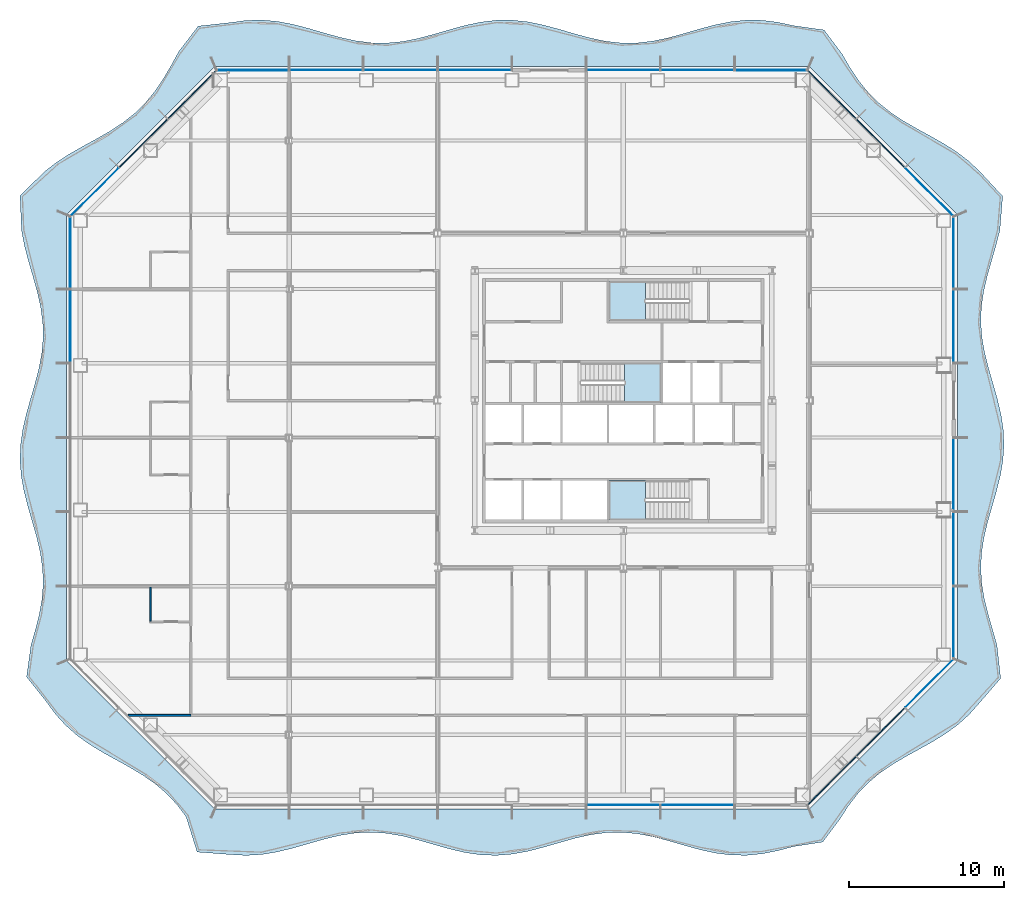
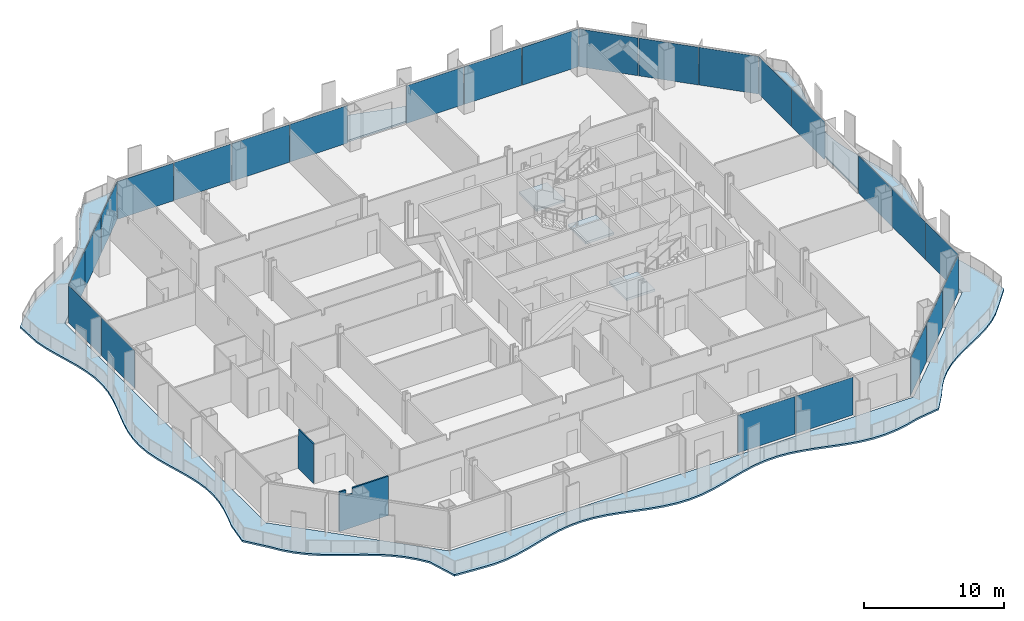
# One storey, part 5 of 18: 25 plates, 4 slabs, 2 walls, 10 elements without a shape of their own.
"""IFC4 building model written with IfcOpenShell, lengths in metres."""

from ifc_helpers import new_model, si_unit, direction, frame, origin, origin_2d, place, context, subcontext, project, spatial, polyline, rectangle, outline, extrude, material, layer, layer_set, type_object, element, aggregate, save


model = new_model("IFC4")

# Units and contexts
model_context = context("Model", 3, precision=1e-05, world=origin(), true_north=direction((0.0, 1.0)))
body_context = subcontext(model_context, "Body", "Model", "MODEL_VIEW")
ifc_project = project(units=[si_unit("LENGTHUNIT", "METRE"), si_unit("AREAUNIT", "SQUARE_METRE"), si_unit("VOLUMEUNIT", "CUBIC_METRE"), si_unit("PLANEANGLEUNIT", "RADIAN"), si_unit("MASSUNIT", "GRAM", prefix="KILO")], contexts=[model_context])

# Site, building, storey
site_placement = place(None, origin())
site = spatial("IfcSite", under=ifc_project, at=site_placement, CompositionType="ELEMENT")
building_placement = place(site_placement, origin())
building = spatial("IfcBuilding", under=site, at=building_placement, Name="Cairn Pilgrim Tower", CompositionType="ELEMENT")
storey_placement = place(building_placement, frame((0.0, 0.0, 76.199951171875)))
storey = spatial("IfcBuildingStorey", under=building, at=storey_placement, Name="L17", CompositionType="ELEMENT", Elevation=76.199951171875)

# Slab
ifc_material_1 = material(Name="Concrete C35/45", Category="concrete")
ifc_layer_1 = layer(ifc_material_1, 0.14990234375)
ifc_layer_set_1 = layer_set([ifc_layer_1], Name="BALCONY SLAB 150 CONCRETE C35/45")
slab_type_1 = type_object("IfcSlabType", Name="BALCONY SLAB 150 CONCRETE C35/45", PredefinedType="FLOOR", material=ifc_layer_set_1)
slab_1_placement = place(storey_placement, frame((0.0, 0.0, -0.14990234375)))
element("IfcSlab", 1, at=slab_1_placement, inside=storey, type_object=slab_type_1, Name="Balcony slab BS-1", PredefinedType="FLOOR", context=body_context, shape_type="SweptSolid", body=[
    extrude(outline(polyline([(-21.06494140625, -24.493408203125), (-20.3515625, -26.7802734375), (-18.189453125, -26.944091796875), (-17.178955078125, -27.0), (-16.16845703125, -26.939208984375), (-15.157958984375, -26.771484375), (-14.1474609375, -26.522705078125), (-13.136962890625, -26.2314453125), (-12.126220703125, -25.943115234375), (-11.11572265625, -25.702392578125), (-10.105224609375, -25.546875), (-9.0947265625, -25.500732421875), (-8.084228515625, -25.57080078125), (-7.07373046875, -25.74658203125), (-6.063232421875, -26.000732421875), (-5.052734375, -26.29345703125), (-4.0419921875, -26.579345703125), (-3.031494140625, -26.814208984375), (-2.02099609375, -26.96142578125), (-1.010498046875, -26.998046875), (0.0, -26.918212890625), (1.010498046875, -26.734619140625), (2.02099609375, -26.475830078125), (3.031494140625, -26.181884765625), (4.0419921875, -25.8984375), (5.052734375, -25.669677734375), (6.063232421875, -25.53125), (7.07373046875, -25.50439453125), (8.084228515625, -25.59326171875), (9.0947265625, -25.784423828125), (10.105224609375, -26.0478515625), (11.11572265625, -26.3427734375), (12.126220703125, -26.623291015625), (13.136962890625, -26.845703125), (14.1474609375, -26.9755859375), (15.157958984375, -26.99267578125), (16.16845703125, -26.894287109375), (17.178955078125, -26.69580078125), (18.189453125, -26.427978515625), (20.08349609375, -26.132568359375), (21.205078125, -24.633544921875), (21.740966796875, -23.798095703125), (22.337158203125, -23.02294921875), (23.006591796875, -22.321044921875), (23.751708984375, -21.694580078125), (24.563720703125, -21.13525390625), (25.4248046875, -20.624755859375), (26.3095703125, -20.13818359375), (27.189697265625, -19.646728515625), (28.037109375, -19.122802734375), (28.8291015625, -18.543212890625), (29.5498046875, -17.892578125), (30.194580078125, -17.166015625), (31.585205078125, -15.5537109375), (31.34521484375, -13.406982421875), (31.06103515625, -12.413818359375), (30.775146484375, -11.420654296875), (30.530517578125, -10.427490234375), (30.36376953125, -9.4345703125), (30.30029296875, -8.44140625), (30.349365234375, -7.4482421875), (30.50341796875, -6.455078125), (30.73974609375, -5.462158203125), (31.022705078125, -4.468994140625), (31.309814453125, -3.475830078125), (31.5576171875, -2.482666015625), (31.7294921875, -1.48974609375), (31.799072265625, -0.49658203125), (31.75634765625, 0.49658203125), (31.607421875, 1.48974609375), (31.374755859375, 2.482666015625), (31.093505859375, 3.475830078125), (30.8056640625, 4.468994140625), (30.554443359375, 5.462158203125), (30.377685546875, 6.455078125), (30.3017578125, 7.4482421875), (30.33837890625, 8.44140625), (30.481689453125, 9.4345703125), (30.71044921875, 10.427490234375), (30.990234375, 11.420654296875), (31.279052734375, 12.413818359375), (31.533447265625, 13.406982421875), (31.715087890625, 15.607421875), (30.23291015625, 17.204345703125), (29.529052734375, 17.871826171875), (28.752197265625, 18.466552734375), (27.915283203125, 19.0009765625), (27.040283203125, 19.497314453125), (26.15380859375, 19.982421875), (25.28515625, 20.4853515625), (24.46044921875, 21.03173828125), (23.69921875, 21.64208984375), (23.0126953125, 22.326904296875), (22.40087890625, 23.08642578125), (21.85302734375, 23.91015625), (21.349609375, 24.778076171875), (20.1748046875, 26.353515625), (18.189453125, 26.632568359375), (17.178955078125, 26.852294921875), (16.16845703125, 26.978271484375), (15.157958984375, 26.990966796875), (14.1474609375, 26.888671875), (13.136962890625, 26.68701171875), (12.126220703125, 26.41748046875), (11.11572265625, 26.121826171875), (10.105224609375, 25.84619140625), (9.0947265625, 25.63330078125), (8.084228515625, 25.516357421875), (7.07373046875, 25.51318359375), (6.063232421875, 25.624755859375), (5.052734375, 25.83349609375), (4.0419921875, 26.106689453125), (3.031494140625, 26.402587890625), (2.02099609375, 26.674560546875), (1.010498046875, 26.88037109375), (0.0, 26.988525390625), (-1.010498046875, 26.981689453125), (-2.02099609375, 26.861328125), (-3.031494140625, 26.645751953125), (-4.0419921875, 26.368896484375), (-5.052734375, 26.0732421875), (-6.063232421875, 25.805419921875), (-7.07373046875, 25.6064453125), (-8.084228515625, 25.507568359375), (-9.0947265625, 25.524169921875), (-10.105224609375, 25.653564453125), (-11.11572265625, 25.87548828125), (-12.126220703125, 26.15576171875), (-13.136962890625, 26.45068359375), (-14.1474609375, 26.71435546875), (-15.157958984375, 26.906005859375), (-16.16845703125, 26.99560546875), (-17.178955078125, 26.96923828125), (-18.189453125, 26.831298828125), (-20.278076171875, 26.602783203125), (-21.534423828125, 24.962890625), (-22.02001953125, 24.0771484375), (-22.526123046875, 23.211669921875), (-23.078125, 22.392578125), (-23.69580078125, 21.638671875), (-24.38818359375, 20.959716796875), (-25.15478515625, 20.354736328125), (-25.98388671875, 19.8125), (-26.85498046875, 19.312255859375), (-27.741455078125, 18.8271484375), (-28.614501953125, 18.328857421875), (-29.447265625, 17.790283203125), (-30.218994140625, 17.1904296875), (-31.793701171875, 15.64013671875), (-31.701171875, 13.406982421875), (-31.5107421875, 12.413818359375), (-31.251220703125, 11.420654296875), (-30.96142578125, 10.427490234375), (-30.684814453125, 9.4345703125), (-30.463134765625, 8.44140625), (-30.32958984375, 7.4482421875), (-30.304443359375, 6.455078125), (-30.390869140625, 5.462158203125), (-30.57666015625, 4.468994140625), (-30.833251953125, 3.475830078125), (-31.12255859375, 2.482666015625), (-31.40087890625, 1.48974609375), (-31.62646484375, 0.49658203125), (-31.765625, -0.49658203125), (-31.797119140625, -1.48974609375), (-31.716552734375, -2.482666015625), (-31.535888671875, -3.475830078125), (-31.2822265625, -4.468994140625), (-30.99365234375, -5.462158203125), (-30.713623046875, -6.455078125), (-30.48388671875, -7.4482421875), (-30.33935546875, -8.44140625), (-30.301513671875, -9.4345703125), (-30.3759765625, -10.427490234375), (-30.5517578125, -11.420654296875), (-30.802490234375, -12.413818359375), (-31.090087890625, -13.406982421875), (-31.371826171875, -15.46533203125), (-30.094482421875, -17.06591796875), (-29.514892578125, -17.857666015625), (-28.864013671875, -18.578369140625), (-28.137451171875, -19.22314453125), (-27.340576171875, -19.7978515625), (-26.48974609375, -20.318115234375), (-25.608154296875, -20.80810546875), (-24.72412109375, -21.295654296875), (-23.8662109375, -21.80908203125), (-23.058837890625, -22.373046875), (-22.319580078125, -23.005126953125), (-21.656005859375, -23.713134765625), (-21.06494140625, -24.493408203125)]), holes=[polyline([(19.199951171875, -24.0), (-19.199951171875, -24.0), (-28.800048828125, -14.39990234375), (-28.800048828125, 14.39990234375), (-19.199951171875, 24.0), (19.199951171875, 24.0), (28.800048828125, 14.39990234375), (28.800048828125, -14.39990234375), (19.199951171875, -24.0)])]), origin(), (0.0, 0.0, 1.0), 0.14990234375),
])

# Curtain wall, plate
ifc_material_2 = material(Name="Aluminium alloy 6063-T6 bronze anodised with Bronze tinted laminated low-E glass 8+16+8.8", Category="aluminium")
curtain_wall_type_1 = type_object("IfcCurtainWallType", Name="CHAMFER CORNER CURTAIN WALL", PredefinedType="NOTDEFINED", material=ifc_material_2)
curtain_wall_1_placement = place(storey_placement, origin())
curtain_wall_1 = element("IfcCurtainWall", 2, at=curtain_wall_1_placement, inside=storey, type_object=curtain_wall_type_1, Name="Chamfer Corner Curtain Wall SE", PredefinedType="NOTDEFINED")
ifc_material_3 = material(Name="Bronze anodised aluminium spandrel panel with mineral wool insulation", Category="aluminium")
ifc_layer_2 = layer(ifc_material_3, 0.06005859375)
ifc_layer_set_2 = layer_set([ifc_layer_2], Name="SPANDREL PANEL 4386x3300")
plate_type_1 = type_object("IfcPlateType", Name="SPANDREL PANEL 4386x3300", PredefinedType="CURTAIN_PANEL", material=ifc_layer_set_2)
plate_1_placement = place(storey_placement, frame((20.675537109375, -22.1708984375, 0.0), z_axis=(0.0, 0.0, 1.0), x_axis=(0.707106781187, 0.707106781187, 0.0)))
plate_1 = element("IfcPlate", 3, at=plate_1_placement, type_object=plate_type_1, Name="Spandrel Panel SE1-1", PredefinedType="CURTAIN_PANEL", context=body_context, shape_type="SweptSolid", body=[
    extrude(rectangle(XDim=4.386474609375, YDim=0.06005859375, at=origin_2d()), origin(), (0.0, 0.0, 1.0), 3.300048828125),
])

curtain_wall_2_placement = place(storey_placement, origin())
curtain_wall_2 = element("IfcCurtainWall", 4, at=curtain_wall_2_placement, inside=storey, type_object=curtain_wall_type_1, Name="Chamfer Corner Curtain Wall NE", PredefinedType="NOTDEFINED")
plate_2_placement = place(storey_placement, frame((20.675537109375, 22.1708984375, 0.0), z_axis=(0.0, 0.0, 1.0), x_axis=(-0.707106781187, 0.707106781187, 0.0)))
plate_2 = element("IfcPlate", 5, at=plate_2_placement, type_object=plate_type_1, Name="Spandrel Panel NE3-1", PredefinedType="CURTAIN_PANEL", context=body_context, shape_type="SweptSolid", body=[
    extrude(rectangle(XDim=4.386474609375, YDim=0.06005859375, at=origin_2d()), origin(), (0.0, 0.0, 1.0), 3.300048828125),
])

curtain_wall_3_placement = place(storey_placement, origin())
curtain_wall_3 = element("IfcCurtainWall", 6, at=curtain_wall_3_placement, inside=storey, type_object=curtain_wall_type_1, Name="Chamfer Corner Curtain Wall NW", PredefinedType="NOTDEFINED")
plate_3_placement = place(storey_placement, frame((-20.675537109375, 22.1708984375, 0.0), z_axis=(0.0, 0.0, 1.0), x_axis=(-0.707106781187, -0.707106781187, 0.0)))
plate_3 = element("IfcPlate", 7, at=plate_3_placement, type_object=plate_type_1, Name="Spandrel Panel NW1-1", PredefinedType="CURTAIN_PANEL", context=body_context, shape_type="SweptSolid", body=[
    extrude(rectangle(XDim=4.386474609375, YDim=0.06005859375, at=origin_2d()), origin(), (0.0, 0.0, 1.0), 3.300048828125),
])

# Plate
ifc_layer_3 = layer(ifc_material_3, 0.06005859375)
ifc_layer_set_3 = layer_set([ifc_layer_3], Name="SPANDREL PANEL 4396x3300")
plate_type_2 = type_object("IfcPlateType", Name="SPANDREL PANEL 4396x3300", PredefinedType="CURTAIN_PANEL", material=ifc_layer_set_3)
plate_4_placement = place(storey_placement, frame((23.8232421875, -19.023193359375, 0.0), z_axis=(0.0, 0.0, 1.0), x_axis=(0.707106781187, 0.707106781187, 0.0)))
plate_4 = element("IfcPlate", 8, at=plate_4_placement, type_object=plate_type_2, Name="Spandrel Panel SE2-1", PredefinedType="CURTAIN_PANEL", context=body_context, shape_type="SweptSolid", body=[
    extrude(rectangle(XDim=4.396484375, YDim=0.06005859375, at=origin_2d()), origin(), (0.0, 0.0, 1.0), 3.300048828125),
])

plate_5_placement = place(storey_placement, frame((23.8232421875, 19.023193359375, 0.0), z_axis=(0.0, 0.0, 1.0), x_axis=(-0.707106781187, 0.707106781187, 0.0)))
plate_5 = element("IfcPlate", 9, at=plate_5_placement, type_object=plate_type_2, Name="Spandrel Panel NE2-1", PredefinedType="CURTAIN_PANEL", context=body_context, shape_type="SweptSolid", body=[
    extrude(rectangle(XDim=4.396484375, YDim=0.06005859375, at=origin_2d()), origin(), (0.0, 0.0, 1.0), 3.300048828125),
])

plate_6_placement = place(storey_placement, frame((-23.8232421875, 19.023193359375, 0.0), z_axis=(0.0, 0.0, 1.0), x_axis=(-0.707106781187, -0.707106781187, 0.0)))
plate_6 = element("IfcPlate", 10, at=plate_6_placement, type_object=plate_type_2, Name="Spandrel Panel NW2-1", PredefinedType="CURTAIN_PANEL", context=body_context, shape_type="SweptSolid", body=[
    extrude(rectangle(XDim=4.396484375, YDim=0.06005859375, at=origin_2d()), origin(), (0.0, 0.0, 1.0), 3.300048828125),
])

# Curtain wall, plates
curtain_wall_type_2 = type_object("IfcCurtainWallType", Name="TOWER STICK CURTAIN WALL NS", PredefinedType="NOTDEFINED", material=ifc_material_2)
curtain_wall_4_placement = place(storey_placement, origin())
curtain_wall_4 = element("IfcCurtainWall", 11, at=curtain_wall_4_placement, inside=storey, type_object=curtain_wall_type_2, Name="Tower Stick Curtain Wall Ns N", PredefinedType="NOTDEFINED")
ifc_layer_4 = layer(ifc_material_3, 0.06005859375)
ifc_layer_set_4 = layer_set([ifc_layer_4], Name="SPANDREL PANEL 4626x3300")
plate_type_3 = type_object("IfcPlateType", Name="SPANDREL PANEL 4626x3300", PredefinedType="CURTAIN_PANEL", material=ifc_layer_set_4)
plate_7_placement = place(storey_placement, frame((16.7431640625, 23.75, 0.0), z_axis=(0.0, 0.0, 1.0), x_axis=(-1.0, 0.0, 0.0)))
plate_7 = element("IfcPlate", 12, at=plate_7_placement, type_object=plate_type_3, Name="Spandrel Panel N1-1", PredefinedType="CURTAIN_PANEL", context=body_context, shape_type="SweptSolid", body=[
    extrude(rectangle(XDim=4.62646484375, YDim=0.06005859375, at=origin_2d()), origin(), (0.0, 0.0, 1.0), 3.300048828125),
])
plate_8_placement = place(storey_placement, frame((-16.7431640625, 23.75, 0.0), z_axis=(0.0, 0.0, 1.0), x_axis=(-1.0, 0.0, 0.0)))
plate_8 = element("IfcPlate", 13, at=plate_8_placement, type_object=plate_type_3, Name="Spandrel Panel N8-1", PredefinedType="CURTAIN_PANEL", context=body_context, shape_type="SweptSolid", body=[
    extrude(rectangle(XDim=4.62646484375, YDim=0.06005859375, at=origin_2d()), origin(), (0.0, 0.0, 1.0), 3.300048828125),
])

# Stair, slab
ifc_material_4 = material(Name="Concrete C32/40", Category="concrete")
stair_type = type_object("IfcStairType", Name="EXIT STAIR 1200", PredefinedType="HALF_TURN_STAIR", material=ifc_material_4)
stair_1_placement = place(storey_placement, origin())
stair_1 = element("IfcStair", 14, at=stair_1_placement, inside=storey, type_object=stair_type, Name="L17 Exit Stair A", PredefinedType="HALF_TURN_STAIR")
ifc_layer_5 = layer(ifc_material_4, 0.199951171875)
ifc_layer_set_5 = layer_set([ifc_layer_5], Name="STAIR LANDING 200")
slab_type_2 = type_object("IfcSlabType", Name="STAIR LANDING 200", PredefinedType="LANDING", material=ifc_layer_set_5)
slab_2_placement = place(storey_placement, frame((0.0, 0.0, 1.60009765625)))
slab_2 = element("IfcSlab", 15, at=slab_2_placement, type_object=slab_type_2, Name="ST-A landing 1", PredefinedType="LANDING", context=body_context, shape_type="SweptSolid", body=[
    extrude(outline(polyline([(8.625, -2.77490234375), (6.27490234375, -2.77490234375), (6.27490234375, -5.300048828125), (8.625, -5.300048828125), (8.625, -2.77490234375)])), origin(), (0.0, 0.0, 1.0), 0.199951171875),
])
aggregate(stair_1, [slab_2])

stair_2_placement = place(storey_placement, origin())
stair_2 = element("IfcStair", 16, at=stair_2_placement, inside=storey, type_object=stair_type, Name="L17 Exit Stair B", PredefinedType="HALF_TURN_STAIR")
slab_3_placement = place(storey_placement, frame((0.0, 0.0, 1.60009765625)))
slab_3 = element("IfcSlab", 17, at=slab_3_placement, type_object=slab_type_2, Name="ST-B landing 1", PredefinedType="LANDING", context=body_context, shape_type="SweptSolid", body=[
    extrude(outline(polyline([(7.27490234375, 2.27490234375), (9.625, 2.27490234375), (9.625, 4.824951171875), (7.27490234375, 4.824951171875), (7.27490234375, 2.27490234375)])), origin(), (0.0, 0.0, 1.0), 0.199951171875),
])
aggregate(stair_2, [slab_3])

stair_3_placement = place(storey_placement, origin())
stair_3 = element("IfcStair", 18, at=stair_3_placement, inside=storey, type_object=stair_type, Name="L17 Exit Stair C", PredefinedType="HALF_TURN_STAIR")
slab_4_placement = place(storey_placement, frame((0.0, 0.0, 1.60009765625)))
slab_4 = element("IfcSlab", 19, at=slab_4_placement, type_object=slab_type_2, Name="ST-C landing 1", PredefinedType="LANDING", context=body_context, shape_type="SweptSolid", body=[
    extrude(outline(polyline([(8.625, 10.10009765625), (6.27490234375, 10.10009765625), (6.27490234375, 7.574951171875), (8.625, 7.574951171875), (8.625, 10.10009765625)])), origin(), (0.0, 0.0, 1.0), 0.199951171875),
])
aggregate(stair_3, [slab_4])

# Plate
ifc_material_5 = material(Name="Bronze tinted laminated low-E glass 8+16+8.8", Category="glass")
ifc_layer_6 = layer(ifc_material_5, 0.033935546875)
ifc_layer_set_6 = layer_set([ifc_layer_6], Name="VISION GLAZING 4386x3300")
plate_type_4 = type_object("IfcPlateType", Name="VISION GLAZING 4386x3300", PredefinedType="CURTAIN_PANEL", material=ifc_layer_set_6)
plate_9_placement = place(storey_placement, frame((26.970947265625, -15.87548828125, 0.0), z_axis=(0.0, 0.0, 1.0), x_axis=(0.707106781187, 0.707106781187, 0.0)))
plate_9 = element("IfcPlate", 20, at=plate_9_placement, type_object=plate_type_4, Name="Vision Glazing SE3-1", PredefinedType="CURTAIN_PANEL", context=body_context, shape_type="SweptSolid", body=[
    extrude(rectangle(XDim=4.386474609375, YDim=0.033935546875, at=origin_2d()), origin(), (0.0, 0.0, 1.0), 3.300048828125),
])

aggregate(curtain_wall_1, [plate_1, plate_4, plate_9])

plate_10_placement = place(storey_placement, frame((26.970947265625, 15.87548828125, 0.0), z_axis=(0.0, 0.0, 1.0), x_axis=(-0.707106781187, 0.707106781187, 0.0)))
plate_10 = element("IfcPlate", 21, at=plate_10_placement, type_object=plate_type_4, Name="Vision Glazing NE1-1", PredefinedType="CURTAIN_PANEL", context=body_context, shape_type="SweptSolid", body=[
    extrude(rectangle(XDim=4.386474609375, YDim=0.033935546875, at=origin_2d()), origin(), (0.0, 0.0, 1.0), 3.300048828125),
])

aggregate(curtain_wall_2, [plate_10, plate_5, plate_2])

plate_11_placement = place(storey_placement, frame((-26.970947265625, 15.87548828125, 0.0), z_axis=(0.0, 0.0, 1.0), x_axis=(-0.707106781187, -0.707106781187, 0.0)))
plate_11 = element("IfcPlate", 22, at=plate_11_placement, type_object=plate_type_4, Name="Vision Glazing NW3-1", PredefinedType="CURTAIN_PANEL", context=body_context, shape_type="SweptSolid", body=[
    extrude(rectangle(XDim=4.386474609375, YDim=0.033935546875, at=origin_2d()), origin(), (0.0, 0.0, 1.0), 3.300048828125),
])

aggregate(curtain_wall_3, [plate_3, plate_6, plate_11])

# Curtain wall, plates
curtain_wall_type_3 = type_object("IfcCurtainWallType", Name="TOWER STICK CURTAIN WALL EW", PredefinedType="NOTDEFINED", material=ifc_material_2)
curtain_wall_5_placement = place(storey_placement, origin())
curtain_wall_5 = element("IfcCurtainWall", 23, at=curtain_wall_5_placement, inside=storey, type_object=curtain_wall_type_3, Name="Tower Stick Curtain Wall Ew E", PredefinedType="NOTDEFINED")
ifc_layer_7 = layer(ifc_material_5, 0.033935546875)
ifc_layer_set_7 = layer_set([ifc_layer_7], Name="VISION GLAZING 4626x3300")
plate_type_5 = type_object("IfcPlateType", Name="VISION GLAZING 4626x3300", PredefinedType="CURTAIN_PANEL", material=ifc_layer_set_7)
plate_12_placement = place(storey_placement, frame((28.550048828125, -11.943115234375, 0.0), z_axis=(0.0, 0.0, 1.0), x_axis=(0.0, 1.0, 0.0)))
plate_12 = element("IfcPlate", 24, at=plate_12_placement, type_object=plate_type_5, Name="Vision Glazing E1-1", PredefinedType="CURTAIN_PANEL", context=body_context, shape_type="SweptSolid", body=[
    extrude(rectangle(XDim=4.62646484375, YDim=0.033935546875, at=origin_2d()), origin(), (0.0, 0.0, 1.0), 3.300048828125),
])
plate_13_placement = place(storey_placement, frame((28.550048828125, 11.943115234375, 0.0), z_axis=(0.0, 0.0, 1.0), x_axis=(0.0, 1.0, 0.0)))
plate_13 = element("IfcPlate", 25, at=plate_13_placement, type_object=plate_type_5, Name="Vision Glazing E6-1", PredefinedType="CURTAIN_PANEL", context=body_context, shape_type="SweptSolid", body=[
    extrude(rectangle(XDim=4.62646484375, YDim=0.033935546875, at=origin_2d()), origin(), (0.0, 0.0, 1.0), 3.300048828125),
])

# Curtain wall, plate
curtain_wall_6_placement = place(storey_placement, origin())
curtain_wall_6 = element("IfcCurtainWall", 26, at=curtain_wall_6_placement, inside=storey, type_object=curtain_wall_type_3, Name="Tower Stick Curtain Wall Ew W", PredefinedType="NOTDEFINED")
plate_14_placement = place(storey_placement, frame((-28.550048828125, 11.943115234375, 0.0), z_axis=(0.0, 0.0, 1.0), x_axis=(0.0, -1.0, 0.0)))
plate_14 = element("IfcPlate", 27, at=plate_14_placement, type_object=plate_type_5, Name="Vision Glazing W1-1", PredefinedType="CURTAIN_PANEL", context=body_context, shape_type="SweptSolid", body=[
    extrude(rectangle(XDim=4.62646484375, YDim=0.033935546875, at=origin_2d()), origin(), (0.0, 0.0, 1.0), 3.300048828125),
])

# Curtain wall, plates
curtain_wall_7_placement = place(storey_placement, origin())
curtain_wall_7 = element("IfcCurtainWall", 28, at=curtain_wall_7_placement, inside=storey, type_object=curtain_wall_type_2, Name="Tower Stick Curtain Wall Ns S", PredefinedType="NOTDEFINED")
ifc_layer_8 = layer(ifc_material_5, 0.033935546875)
ifc_layer_set_8 = layer_set([ifc_layer_8], Name="VISION GLAZING 4740x3300")
plate_type_6 = type_object("IfcPlateType", Name="VISION GLAZING 4740x3300", PredefinedType="CURTAIN_PANEL", material=ifc_layer_set_8)
plate_15_placement = place(storey_placement, frame((7.199951171875, -23.75, 0.0), z_axis=(0.0, 0.0, 1.0), x_axis=(1.0, 0.0, 0.0)))
plate_15 = element("IfcPlate", 29, at=plate_15_placement, type_object=plate_type_6, Name="Vision Glazing S6-1", PredefinedType="CURTAIN_PANEL", context=body_context, shape_type="SweptSolid", body=[
    extrude(rectangle(XDim=4.739990234375, YDim=0.033935546875, at=origin_2d()), origin(), (0.0, 0.0, 1.0), 3.300048828125),
])
plate_16_placement = place(storey_placement, frame((12.0, -23.75, 0.0), z_axis=(0.0, 0.0, 1.0), x_axis=(1.0, 0.0, 0.0)))
plate_16 = element("IfcPlate", 30, at=plate_16_placement, type_object=plate_type_6, Name="Vision Glazing S7-1", PredefinedType="CURTAIN_PANEL", context=body_context, shape_type="SweptSolid", body=[
    extrude(rectangle(XDim=4.739990234375, YDim=0.033935546875, at=origin_2d()), origin(), (0.0, 0.0, 1.0), 3.300048828125),
])
aggregate(curtain_wall_7, [plate_15, plate_16])

# Plate
plate_17_placement = place(storey_placement, frame((28.550048828125, -7.199951171875, 0.0), z_axis=(0.0, 0.0, 1.0), x_axis=(0.0, 1.0, 0.0)))
plate_17 = element("IfcPlate", 31, at=plate_17_placement, type_object=plate_type_6, Name="Vision Glazing E2-1", PredefinedType="CURTAIN_PANEL", context=body_context, shape_type="SweptSolid", body=[
    extrude(rectangle(XDim=4.739990234375, YDim=0.033935546875, at=origin_2d()), origin(), (0.0, 0.0, 1.0), 3.300048828125),
])

plate_18_placement = place(storey_placement, frame((28.550048828125, -2.39990234375, 0.0), z_axis=(0.0, 0.0, 1.0), x_axis=(0.0, 1.0, 0.0)))
plate_18 = element("IfcPlate", 32, at=plate_18_placement, type_object=plate_type_6, Name="Vision Glazing E3-1", PredefinedType="CURTAIN_PANEL", context=body_context, shape_type="SweptSolid", body=[
    extrude(rectangle(XDim=4.739990234375, YDim=0.033935546875, at=origin_2d()), origin(), (0.0, 0.0, 1.0), 3.300048828125),
])

plate_19_placement = place(storey_placement, frame((28.550048828125, 7.199951171875, 0.0), z_axis=(0.0, 0.0, 1.0), x_axis=(0.0, 1.0, 0.0)))
plate_19 = element("IfcPlate", 33, at=plate_19_placement, type_object=plate_type_6, Name="Vision Glazing E5-1", PredefinedType="CURTAIN_PANEL", context=body_context, shape_type="SweptSolid", body=[
    extrude(rectangle(XDim=4.739990234375, YDim=0.033935546875, at=origin_2d()), origin(), (0.0, 0.0, 1.0), 3.300048828125),
])

aggregate(curtain_wall_5, [plate_12, plate_17, plate_18, plate_19, plate_13])

plate_20_placement = place(storey_placement, frame((12.0, 23.75, 0.0), z_axis=(0.0, 0.0, 1.0), x_axis=(-1.0, 0.0, 0.0)))
plate_20 = element("IfcPlate", 34, at=plate_20_placement, type_object=plate_type_6, Name="Vision Glazing N2-1", PredefinedType="CURTAIN_PANEL", context=body_context, shape_type="SweptSolid", body=[
    extrude(rectangle(XDim=4.739990234375, YDim=0.033935546875, at=origin_2d()), origin(), (0.0, 0.0, 1.0), 3.300048828125),
])

plate_21_placement = place(storey_placement, frame((7.199951171875, 23.75, 0.0), z_axis=(0.0, 0.0, 1.0), x_axis=(-1.0, 0.0, 0.0)))
plate_21 = element("IfcPlate", 35, at=plate_21_placement, type_object=plate_type_6, Name="Vision Glazing N3-1", PredefinedType="CURTAIN_PANEL", context=body_context, shape_type="SweptSolid", body=[
    extrude(rectangle(XDim=4.739990234375, YDim=0.033935546875, at=origin_2d()), origin(), (0.0, 0.0, 1.0), 3.300048828125),
])

plate_22_placement = place(storey_placement, frame((-2.39990234375, 23.75, 0.0), z_axis=(0.0, 0.0, 1.0), x_axis=(-1.0, 0.0, 0.0)))
plate_22 = element("IfcPlate", 36, at=plate_22_placement, type_object=plate_type_6, Name="Vision Glazing N5-1", PredefinedType="CURTAIN_PANEL", context=body_context, shape_type="SweptSolid", body=[
    extrude(rectangle(XDim=4.739990234375, YDim=0.033935546875, at=origin_2d()), origin(), (0.0, 0.0, 1.0), 3.300048828125),
])

plate_23_placement = place(storey_placement, frame((-7.199951171875, 23.75, 0.0), z_axis=(0.0, 0.0, 1.0), x_axis=(-1.0, 0.0, 0.0)))
plate_23 = element("IfcPlate", 37, at=plate_23_placement, type_object=plate_type_6, Name="Vision Glazing N6-1", PredefinedType="CURTAIN_PANEL", context=body_context, shape_type="SweptSolid", body=[
    extrude(rectangle(XDim=4.739990234375, YDim=0.033935546875, at=origin_2d()), origin(), (0.0, 0.0, 1.0), 3.300048828125),
])

plate_24_placement = place(storey_placement, frame((-12.0, 23.75, 0.0), z_axis=(0.0, 0.0, 1.0), x_axis=(-1.0, 0.0, 0.0)))
plate_24 = element("IfcPlate", 38, at=plate_24_placement, type_object=plate_type_6, Name="Vision Glazing N7-1", PredefinedType="CURTAIN_PANEL", context=body_context, shape_type="SweptSolid", body=[
    extrude(rectangle(XDim=4.739990234375, YDim=0.033935546875, at=origin_2d()), origin(), (0.0, 0.0, 1.0), 3.300048828125),
])

aggregate(curtain_wall_4, [plate_7, plate_20, plate_21, plate_22, plate_23, plate_24, plate_8])

plate_25_placement = place(storey_placement, frame((-28.550048828125, 7.199951171875, 0.0), z_axis=(0.0, 0.0, 1.0), x_axis=(0.0, -1.0, 0.0)))
plate_25 = element("IfcPlate", 39, at=plate_25_placement, type_object=plate_type_6, Name="Vision Glazing W2-1", PredefinedType="CURTAIN_PANEL", context=body_context, shape_type="SweptSolid", body=[
    extrude(rectangle(XDim=4.739990234375, YDim=0.033935546875, at=origin_2d()), origin(), (0.0, 0.0, 1.0), 3.300048828125),
])

aggregate(curtain_wall_6, [plate_14, plate_25])

# Walls
ifc_material_6 = material(Name="Gypsum partition")
ifc_layer_9 = layer(ifc_material_6, 0.10009765625)
ifc_layer_set_9 = layer_set([ifc_layer_9], Name="PARTITION 100 DRYWALL")
wall_type_1 = type_object("IfcWallType", Name="PARTITION 100 DRYWALL", PredefinedType="PARTITIONING", material=ifc_layer_set_9)
wall_1_placement = place(storey_placement, frame((-23.35009765625, -11.85009765625, 0.0), z_axis=(0.0, 0.0, 1.0), x_axis=(0.0, 1.0, 0.0)))
element("IfcWall", 40, at=wall_1_placement, inside=storey, type_object=wall_type_1, Name="PARTITION W023", PredefinedType="PARTITIONING", context=body_context, shape_type="SweptSolid", body=[
    extrude(outline(polyline([(0.0, 0.0), (2.1875, 0.0), (2.1875, 2.830078125), (2.139892578125, 2.830078125), (2.137939453125, 3.449951171875), (0.0, 3.449951171875), (0.0, 0.0)])), frame((0.0, 0.050048828125, 0.0), z_axis=(0.0, -1.0, 0.0), x_axis=(1.0, 0.0, 0.0)), (0.0, 0.0, 1.0), 0.10009765625),
])
ifc_layer_10 = layer(ifc_material_6, 0.125)
ifc_layer_set_10 = layer_set([ifc_layer_10], Name="PARTITION 125 DRYWALL EI 60")
wall_type_2 = type_object("IfcWallType", Name="PARTITION 125 DRYWALL EI 60", PredefinedType="PARTITIONING", material=ifc_layer_set_10)
wall_2_placement = place(storey_placement, frame((-24.78857421875, -17.949951171875, 0.0), z_axis=(0.0, 0.0, 1.0), x_axis=(1.0, 0.0, 0.0)))
element("IfcWall", 41, at=wall_2_placement, inside=storey, type_object=wall_type_2, Name="PARTITION W007", PredefinedType="PARTITIONING", context=body_context, shape_type="SweptSolid", body=[
    extrude(outline(polyline([(0.0, 0.0), (4.03857421875, 0.0), (4.03857421875, 3.449951171875), (1.0859375, 3.449951171875), (1.083984375, 2.929931640625), (0.536865234375, 2.929931640625), (0.534912109375, 3.449951171875), (0.0, 3.449951171875), (0.0, 0.0)])), frame((0.0, 0.0625, 0.0), z_axis=(0.0, -1.0, 0.0), x_axis=(1.0, 0.0, 0.0)), (0.0, 0.0, 1.0), 0.125),
])

save(model, "model.ifc")
